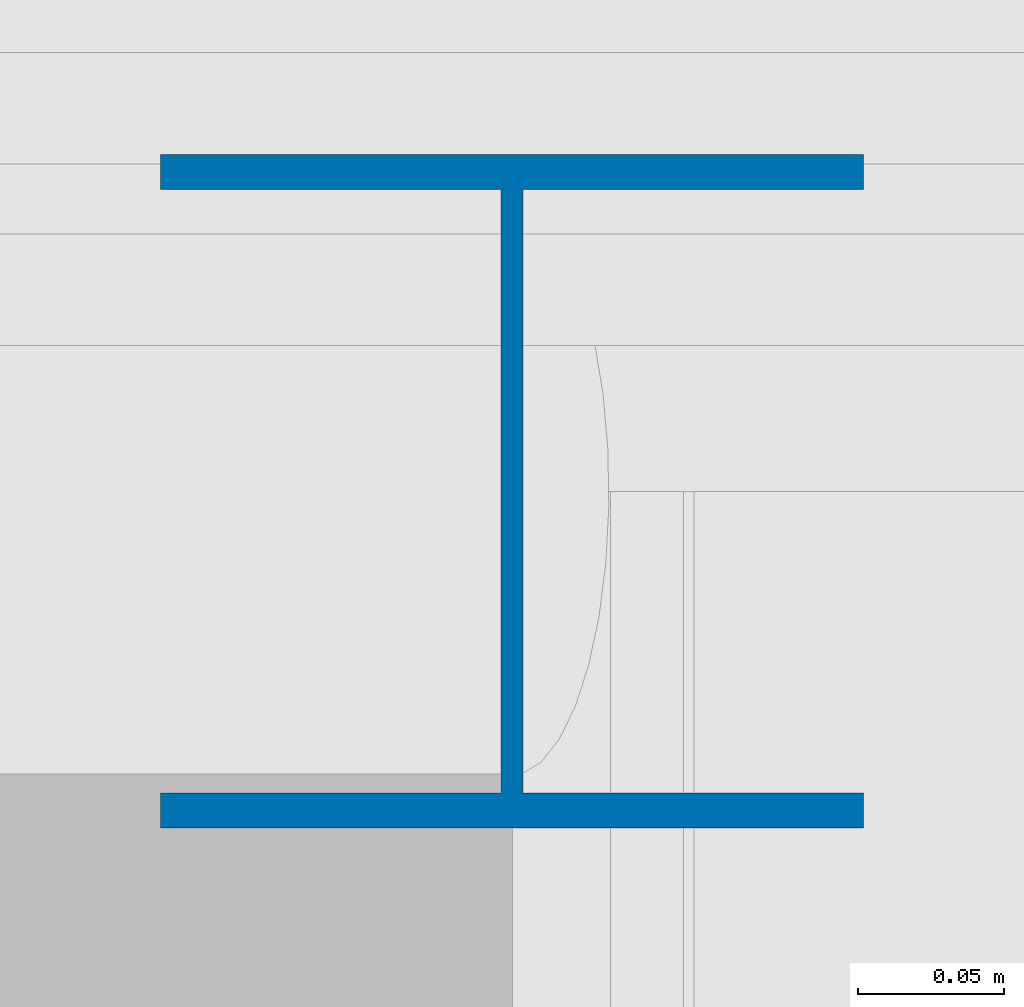
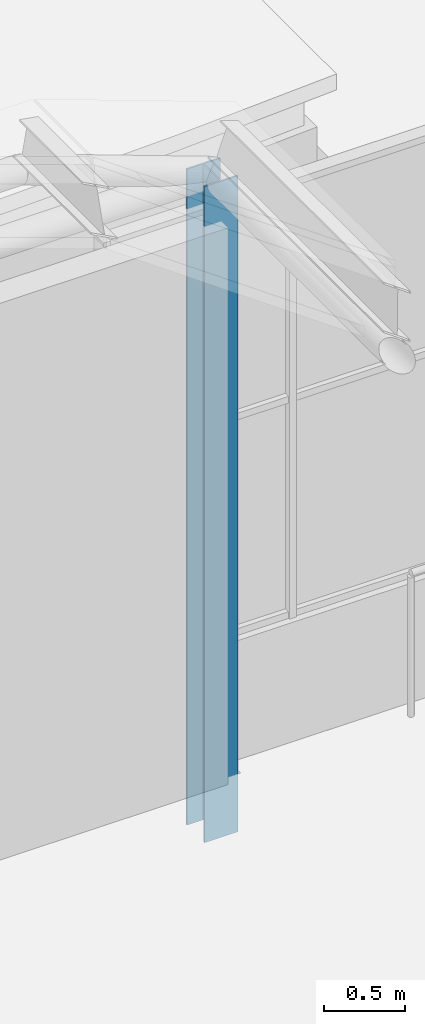
# One storey, part 37 of 222: 1 column.
"""IFC4 building model written with IfcOpenShell, lengths in metres."""

from ifc_helpers import new_model, si_unit, direction, frame, origin, origin_2d, place, context, subcontext, project, spatial, i_section, extrude, material, material_profile, profile_set, type_object, element, save


model = new_model("IFC4")

# Units and contexts
model_context = context("Model", 3, precision=1e-05, world=origin(), true_north=direction((0.0, 1.0)))
body_context = subcontext(model_context, "Body", "Model", "MODEL_VIEW")
ifc_project = project(units=[si_unit("LENGTHUNIT", "METRE"), si_unit("AREAUNIT", "SQUARE_METRE"), si_unit("VOLUMEUNIT", "CUBIC_METRE"), si_unit("PLANEANGLEUNIT", "RADIAN"), si_unit("MASSUNIT", "GRAM", prefix="KILO")], contexts=[model_context])

# Site, building, storey
site_placement = place(None, origin())
site = spatial("IfcSite", under=ifc_project, at=site_placement, CompositionType="ELEMENT")
building_placement = place(site_placement, origin())
building = spatial("IfcBuilding", under=site, at=building_placement, Name="Sava Quay Ferry Terminal", CompositionType="ELEMENT")
storey_placement = place(building_placement, origin())
storey = spatial("IfcBuildingStorey", under=building, at=storey_placement, Name="L00", CompositionType="ELEMENT", Elevation=0.0)

# Column
ifc_material = material(Name="Steel S355", Category="steel")
ifc_material_profile = material_profile(ifc_material, i_section(OverallWidth=0.239990234375, OverallDepth=0.22998046875, WebThickness=0.007568359375, FlangeThickness=0.011962890625, at=origin_2d()), Name="HE 240 A")
ifc_profile_set = profile_set([ifc_material_profile], Name="Steel S355")
column_type = type_object("IfcColumnType", Name="Column HE 240 A", PredefinedType="COLUMN", material=ifc_profile_set)
column_placement = place(storey_placement, frame((79.800048828125, 142.800048828125, -0.449951171875), z_axis=(0.0, 0.0, 1.0), x_axis=(1.0, 0.0, 0.0)))
element("IfcColumn", 1, at=column_placement, inside=storey, type_object=column_type, Name="Gallery post B2 142.8", PredefinedType="COLUMN", context=body_context, shape_type="SweptSolid", body=[
    extrude(i_section(OverallWidth=0.239990234375, OverallDepth=0.22998046875, WebThickness=0.007568359375, FlangeThickness=0.011962890625, at=origin_2d()), origin(), (0.0, 0.0, 1.0), 4.949951171875),
])

save(model, "model.ifc")
